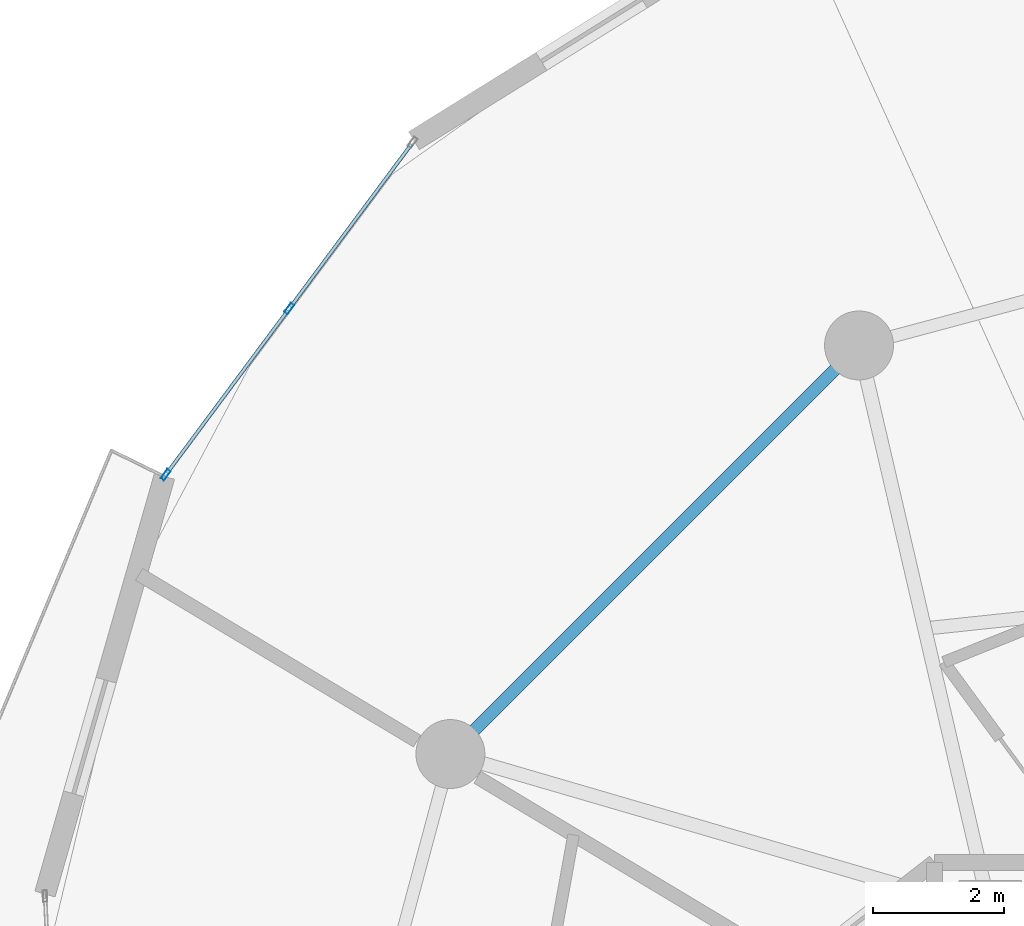
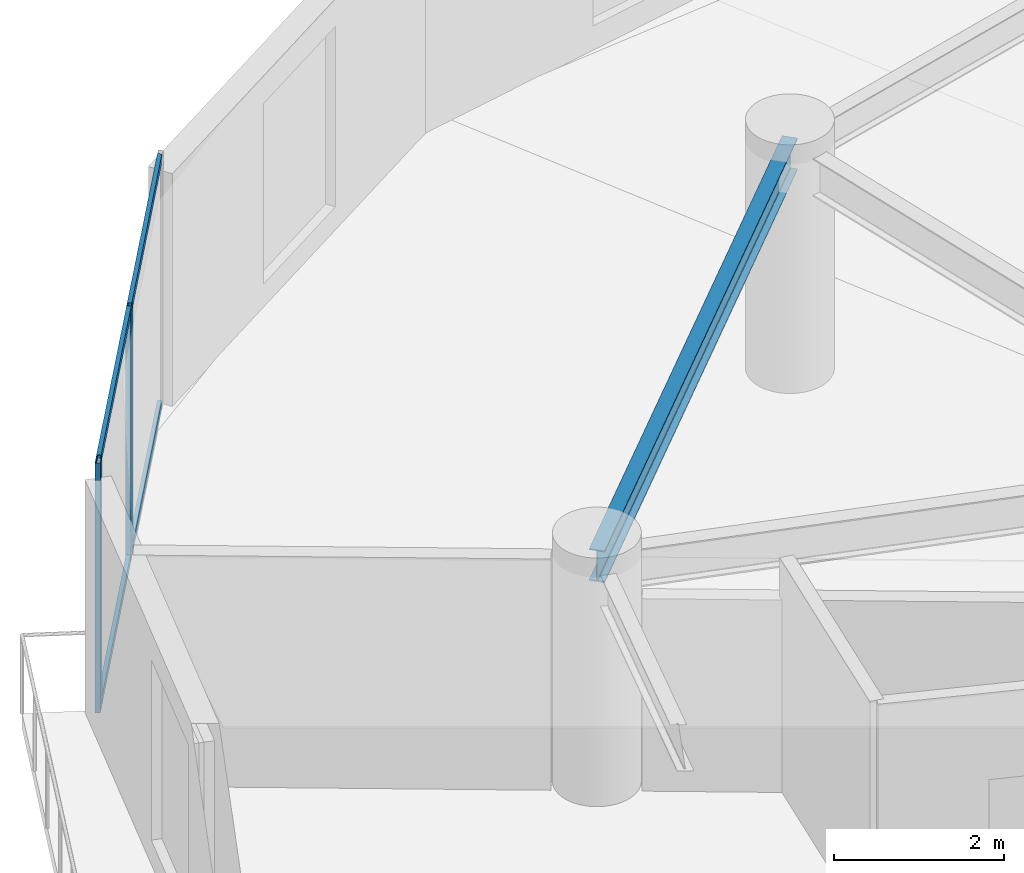
# One storey, part 12 of 22: 6 members, 1 beam, 1 element without a shape of its own.
"""IFC4 building model written with IfcOpenShell, lengths in metres."""

import ifcopenshell
import ifcopenshell.guid

model = None  # the IFC model being written
_history = None  # IfcOwnerHistory: only IFC2X3 demands one
_inside = {}  # id of a spatial element -> (the spatial element, [elements in it])
_under = {}  # id of a project, library or spatial element -> (it, [spatial elements below it])
_declared = {}  # id of a project -> (the project, [libraries it declares])
_typed = {}  # id of a type object -> (the type object, [elements of that type])
_made_of = {}  # id of a material, layer set ... -> (it, [elements and type objects made of it])


def new_model(schema):
    """Start an empty IFC model of exactly this schema.

    Asked for "IFC4X3", IfcOpenShell would pick the latest addendum, in which some entities
    have other attributes; the version numbers below select the first issue.
    IFC2X3 requires an IfcOwnerHistory on every rooted entity: one is made here for all.
    """
    global model, _history
    if schema == "IFC4X3":
        model = ifcopenshell.file(schema_version=(4, 3, 0, 0))
    else:
        model = ifcopenshell.file(schema=schema)
    _inside.clear()
    _under.clear()
    _declared.clear()
    _typed.clear()
    _made_of.clear()
    _history = None
    if model.schema == "IFC2X3":
        org = make("IfcOrganization", Name="unknown")
        user = make(
            "IfcPersonAndOrganization",
            ThePerson=make("IfcPerson", FamilyName="unknown"),
            TheOrganization=org,
        )
        app = make(
            "IfcApplication",
            ApplicationDeveloper=org,
            Version="unknown",
            ApplicationFullName="unknown",
            ApplicationIdentifier="unknown",
        )
        _history = make(
            "IfcOwnerHistory",
            OwningUser=user,
            OwningApplication=app,
            ChangeAction="ADDED",
            CreationDate=0,
        )
    return model


def make(cls, **values):
    """One entity of the class cls with the attributes given. An attribute that is None is left unset."""
    return model.create_entity(
        cls, **{name: value for name, value in values.items() if value is not None}
    )


def rooted(cls, **values):
    """An entity with a GlobalId (a new one), such as an element, a storey or a relation."""
    return make(cls, GlobalId=ifcopenshell.guid.new(), OwnerHistory=_history, **values)


def si_unit(unit_type, name, prefix=None):
    """IfcSIUnit, for example si_unit("LENGTHUNIT", "METRE", prefix="MILLI")."""
    return make("IfcSIUnit", UnitType=unit_type, Prefix=prefix, Name=name)


def assignment(units):
    """IfcUnitAssignment: the units of a project."""
    return None if units is None else make("IfcUnitAssignment", Units=units)


def point(xyz):
    """IfcCartesianPoint."""
    return None if xyz is None else make("IfcCartesianPoint", Coordinates=xyz)


def direction(xyz):
    """IfcDirection."""
    return None if xyz is None else make("IfcDirection", DirectionRatios=xyz)


def frame(location, z_axis=None, x_axis=None):
    """IfcAxis2Placement3D, a coordinate frame: its origin and axes. An axis left out is left unset."""
    return make(
        "IfcAxis2Placement3D",
        Location=point(location),
        Axis=direction(z_axis),
        RefDirection=direction(x_axis),
    )


def frame_2d(location, x_axis=None):
    """IfcAxis2Placement2D, a coordinate frame in the plane: its origin and x axis."""
    return make(
        "IfcAxis2Placement2D", Location=point(location), RefDirection=direction(x_axis)
    )


def origin():
    """The frame at (0, 0, 0) with its axes left unset."""
    return frame((0.0, 0.0, 0.0))


def origin_2d():
    """The frame at (0, 0) in the plane with its x axis left unset."""
    return frame_2d((0.0, 0.0))


def place(relative_to, where):
    """IfcLocalPlacement: puts the frame where relative to a parent placement (None: the world)."""
    return make(
        "IfcLocalPlacement", PlacementRelTo=relative_to, RelativePlacement=where
    )


def context(
    kind, dimensions, precision=None, world=None, true_north=None, identifier=None
):
    """IfcGeometricRepresentationContext, for example the 3D "Model" context."""
    return make(
        "IfcGeometricRepresentationContext",
        ContextIdentifier=identifier,
        ContextType=kind,
        CoordinateSpaceDimension=dimensions,
        Precision=precision,
        WorldCoordinateSystem=world,
        TrueNorth=true_north,
    )


def subcontext(parent, identifier, kind, view, scale=None):
    """IfcGeometricRepresentationSubContext, for example "Body" below "Model"."""
    return make(
        "IfcGeometricRepresentationSubContext",
        ContextIdentifier=identifier,
        ContextType=kind,
        ParentContext=parent,
        TargetScale=scale,
        TargetView=view,
    )


def project(units=None, contexts=None):
    """IfcProject with its units and contexts."""
    return rooted(
        "IfcProject",
        Name="project",
        RepresentationContexts=contexts,
        UnitsInContext=assignment(units),
    )


def spatial(cls, under=None, at=None, **own):
    """A site, building, storey or space (cls), placed at a placement, below another one or the project."""
    s = rooted(cls, ObjectPlacement=at, **own)
    if under is not None:
        _under.setdefault(under.id(), (under, []))[1].append(s)
    return s


def profile(cls, at=None, kind="AREA", **sizes):
    """A parametric profile (cls). Its sizes go by their IFC names, for example OverallWidth=200.0."""
    return make(cls, ProfileType=kind, Position=at, **sizes)


def hollow_rectangle(**sizes):
    """IfcRectangleHollowProfileDef."""
    return profile("IfcRectangleHollowProfileDef", **sizes)


def i_section(**sizes):
    """IfcIShapeProfileDef."""
    return profile("IfcIShapeProfileDef", **sizes)


def extrude(swept, where, along, depth):
    """IfcExtrudedAreaSolid: the profile swept, set in the frame where, extruded along a direction by depth."""
    return make(
        "IfcExtrudedAreaSolid",
        SweptArea=swept,
        Position=where,
        ExtrudedDirection=direction(along),
        Depth=depth,
    )


def shape(context_of_items, identifier, shape_type, items):
    """IfcShapeRepresentation: the items that make up one representation, for example the "Body"."""
    return make(
        "IfcShapeRepresentation",
        ContextOfItems=context_of_items,
        RepresentationIdentifier=identifier,
        RepresentationType=shape_type,
        Items=items,
    )


def source(mapping_origin, context_of_items, identifier, shape_type, items):
    """IfcRepresentationMap: a shape defined once, which mapped items show again and again."""
    return make(
        "IfcRepresentationMap",
        MappingOrigin=mapping_origin,
        MappedRepresentation=shape(context_of_items, identifier, shape_type, items),
    )


def transform(
    local_origin,
    x_axis=None,
    y_axis=None,
    z_axis=None,
    scale=None,
    scale2=None,
    scale3=None,
    uniform=True,
):
    """IfcCartesianTransformationOperator3D, or its non-uniform kind. x_axis, y_axis, z_axis: its Axis1, 2, 3."""
    if uniform:
        return make(
            "IfcCartesianTransformationOperator3D",
            Axis1=direction(x_axis),
            Axis2=direction(y_axis),
            LocalOrigin=point(local_origin),
            Scale=scale,
            Axis3=direction(z_axis),
        )
    return make(
        "IfcCartesianTransformationOperator3DnonUniform",
        Axis1=direction(x_axis),
        Axis2=direction(y_axis),
        LocalOrigin=point(local_origin),
        Scale=scale,
        Axis3=direction(z_axis),
        Scale2=scale2,
        Scale3=scale3,
    )


def mapped(mapping_source, mapping_target):
    """IfcMappedItem: shows the shape of a source again, moved by a transform."""
    return make(
        "IfcMappedItem", MappingSource=mapping_source, MappingTarget=mapping_target
    )


def material(Name=None, Category=None):
    """IfcMaterial."""
    return make("IfcMaterial", Name=Name, Category=Category)


def layer(
    of_material, thickness, ventilated=None, Name=None, Category=None, Priority=None
):
    """IfcMaterialLayer: one layer of a wall or slab, of a material (None: an air gap)."""
    return make(
        "IfcMaterialLayer",
        Material=of_material,
        LayerThickness=thickness,
        IsVentilated=ventilated,
        Name=Name,
        Category=Category,
        Priority=Priority,
    )


def layer_set(layers, Name=None):
    """IfcMaterialLayerSet."""
    return make("IfcMaterialLayerSet", MaterialLayers=layers, LayerSetName=Name)


def material_profile(
    of_material, cross_section, Name=None, Category=None, Priority=None
):
    """IfcMaterialProfile: a cross section and its material."""
    return make(
        "IfcMaterialProfile",
        Name=Name,
        Material=of_material,
        Profile=cross_section,
        Priority=Priority,
        Category=Category,
    )


def profile_set(profiles, Name=None, composite=None):
    """IfcMaterialProfileSet."""
    return make(
        "IfcMaterialProfileSet",
        Name=Name,
        MaterialProfiles=profiles,
        CompositeProfile=composite,
    )


def made_of(thing, what):
    """Note that an element or type object is made of a material, layer set ...; save() writes the relation."""
    if what is not None:
        _made_of.setdefault(what.id(), (what, []))[1].append(thing)
    return thing


def type_object(cls, material=None, **own):
    """A type object (cls), such as IfcWallType, which elements share."""
    return made_of(rooted(cls, **own), material)


def element(
    cls,
    number,
    at=None,
    inside=None,
    cuts=None,
    type_object=None,
    material=None,
    context=None,
    identifier="Body",
    shape_type=None,
    held_by="IfcProductDefinitionShape",
    body=None,
    shapes=None,
    **own,
):
    """One element of the class cls, such as IfcWall. Its Tag is "e" and its number.

    at: its placement. inside: the storey or other place that contains it. cuts: it is an
    opening in that element (IfcRelVoidsElement). A single representation is given by context,
    identifier, shape_type and body (its items); several are given by shapes. held_by: the class
    of the entity that holds the representations. save() writes the other relations.
    """
    e = rooted(cls, Tag="e%d" % number, ObjectPlacement=at, **own)
    if body is not None:
        shapes = [shape(context, identifier, shape_type, body)]
    if shapes is not None:
        e.Representation = make(held_by, Representations=shapes)
    if inside is not None:
        _inside.setdefault(inside.id(), (inside, []))[1].append(e)
    if cuts is not None:
        rooted(
            "IfcRelVoidsElement", RelatingBuildingElement=cuts, RelatedOpeningElement=e
        )
    if type_object is not None:
        _typed.setdefault(type_object.id(), (type_object, []))[1].append(e)
    return made_of(e, material)


def aggregate(whole, parts):
    """IfcRelAggregates: a whole, such as a stair, and the parts it consists of."""
    return rooted("IfcRelAggregates", RelatingObject=whole, RelatedObjects=parts)


def save(model, path):
    """Write the relations noted so far, then the file.

    IfcRelAggregates (storeys below a building ...), IfcRelContainedInSpatialStructure (elements
    in a storey), IfcRelDefinesByType, IfcRelAssociatesMaterial and IfcRelDeclares: one each for
    every whole, place, type object, material and project.
    """
    for whole, parts in _under.values():
        aggregate(whole, parts)
    for where, things in _inside.values():
        rooted(
            "IfcRelContainedInSpatialStructure",
            RelatedElements=things,
            RelatingStructure=where,
        )
    for kind, things in _typed.values():
        rooted("IfcRelDefinesByType", RelatedObjects=things, RelatingType=kind)
    for what, things in _made_of.values():
        rooted("IfcRelAssociatesMaterial", RelatedObjects=things, RelatingMaterial=what)
    for by, libraries in _declared.values():
        rooted("IfcRelDeclares", RelatingContext=by, RelatedDefinitions=libraries)
    model.write(path)


model = new_model("IFC4")

# Units and contexts
model_context = context("Model", 3, precision=1e-05, world=origin(), true_north=direction((0.0, 1.0)))
body_context = subcontext(model_context, "Body", "Model", "MODEL_VIEW")
ifc_project = project(units=[si_unit("LENGTHUNIT", "METRE"), si_unit("AREAUNIT", "SQUARE_METRE"), si_unit("VOLUMEUNIT", "CUBIC_METRE"), si_unit("PLANEANGLEUNIT", "RADIAN"), si_unit("MASSUNIT", "GRAM", prefix="KILO")], contexts=[model_context])

# Site, building, storey
site_placement = place(None, origin())
site = spatial("IfcSite", under=ifc_project, at=site_placement, CompositionType="ELEMENT")
building_placement = place(site_placement, origin())
building = spatial("IfcBuilding", under=site, at=building_placement, Name="Solvirekh Grand Hotel", CompositionType="ELEMENT")
storey_placement = place(building_placement, frame((0.0, 0.0, 153.0)))
storey = spatial("IfcBuildingStorey", under=building, at=storey_placement, Name="L39", CompositionType="ELEMENT", Elevation=153.0)

# Beam
ifc_material_1 = material(Name="Steel S355", Category="steel")
ifc_material_profile_1 = material_profile(ifc_material_1, i_section(OverallWidth=0.18994140625, OverallDepth=0.45703125, WebThickness=0.009033203125, FlangeThickness=0.013916015625, FilletRadius=0.012939453125, at=origin_2d()), Name="W460X74")
ifc_profile_set_1 = profile_set([ifc_material_profile_1], Name="Steel S355")
beam_type = type_object("IfcBeamType", Name="Spandrel_Ring_W460", PredefinedType="SPANDREL", material=ifc_profile_set_1)
beam_placement = place(storey_placement, frame((-8.5, 14.721923828125, 3.12109375), z_axis=(-0.707106781187, -0.707106781187, 0.0), x_axis=(0.707106781187, -0.707106781187, 0.0)))
element("IfcBeam", 1, at=beam_placement, inside=storey, type_object=beam_type, Name="L39 perimeter spandrel beam 5", PredefinedType="SPANDREL", context=body_context, shape_type="SweptSolid", body=[
    extrude(i_section(OverallWidth=0.18994140625, OverallDepth=0.45703125, WebThickness=0.009033203125, FlangeThickness=0.013916015625, FilletRadius=0.012939453125, at=origin_2d()), origin(), (0.0, 0.0, 1.0), 8.799072265625),
])

# Curtain wall, members
ifc_material_2 = material(Name="Anodized Bronze Aluminium 6063-T6", Category="aluminium")
ifc_layer = layer(ifc_material_2, 0.175048828125)
ifc_layer_set = layer_set([ifc_layer], Name="Anodized Bronze Aluminium 6063-T6")
curtain_wall_type = type_object("IfcCurtainWallType", Name="CW_Sys3_MidZoneFlushBronzeCW", PredefinedType="NOTDEFINED", material=ifc_layer_set)
curtain_wall_placement = place(storey_placement, origin())
curtain_wall = element("IfcCurtainWall", 2, at=curtain_wall_placement, inside=storey, type_object=curtain_wall_type, Name="L39 unitised bronze-glass curtain wall CW-L39-C11", PredefinedType="NOTDEFINED")
ifc_material_profile_2 = material_profile(ifc_material_2, hollow_rectangle(XDim=0.054931640625, YDim=0.1201171875, WallThickness=0.00390625, at=origin_2d()), Name="ALU RHS 120X55X4")
ifc_profile_set_2 = profile_set([ifc_material_profile_2], Name="Anodized Bronze Aluminium 6063-T6")
member_type_1 = type_object("IfcMemberType", Name="CWTransom_Sys3", PredefinedType="USERDEFINED", material=ifc_profile_set_2)
shared_shape_1 = source(origin(), body_context, "Body", "SweptSolid", [
    extrude(hollow_rectangle(XDim=0.054931640625, YDim=0.1201171875, WallThickness=0.00390625, at=origin_2d()), origin(), (0.0, 0.0, 1.0), 3.087158203125),
])
member_1_placement = place(storey_placement, frame((-15.315673828125, 17.786865234375, 0.027587890625), z_axis=(-0.596514721212, -0.802602135169, 0.0), x_axis=(0.802602135169, -0.596514721212, 0.0)))
member_1 = element("IfcMember", 3, at=member_1_placement, type_object=member_type_1, Name="U03 transom 1.1", ObjectType="TRANSOM", PredefinedType="USERDEFINED", context=body_context, shape_type="MappedRepresentation", body=[
    mapped(shared_shape_1, transform((0.0, 0.0, 0.0), x_axis=(1.0, 0.0, 0.0), y_axis=(0.0, 1.0, 0.0), z_axis=(0.0, 0.0, 1.0), scale=1.0)),
])
member_2_placement = place(storey_placement, frame((-15.315673828125, 17.786865234375, 3.572509765625), z_axis=(-0.596514721212, -0.802602135169, 0.0), x_axis=(0.802602135169, -0.596514721212, 0.0)))
member_2 = element("IfcMember", 4, at=member_2_placement, type_object=member_type_1, Name="U03 transom 1.2", ObjectType="TRANSOM", PredefinedType="USERDEFINED", context=body_context, shape_type="MappedRepresentation", body=[
    mapped(shared_shape_1, transform((0.0, 0.0, 0.0), x_axis=(1.0, 0.0, 0.0), y_axis=(0.0, 1.0, 0.0), z_axis=(0.0, 0.0, 1.0), scale=1.0)),
])
member_3_placement = place(storey_placement, frame((-17.19580078125, 15.2568359375, 0.027587890625), z_axis=(-0.596463775409, -0.802639996901, 0.0), x_axis=(0.802639996901, -0.596463775409, 0.0)))
member_3 = element("IfcMember", 5, at=member_3_placement, type_object=member_type_1, Name="U03 transom 2.1", ObjectType="TRANSOM", PredefinedType="USERDEFINED", context=body_context, shape_type="MappedRepresentation", body=[
    mapped(shared_shape_1, transform((0.0, 0.0, 0.0), x_axis=(1.0, 0.0, 0.0), y_axis=(0.0, 1.0, 0.0), z_axis=(0.0, 0.0, 1.0), scale=1.0)),
])
member_4_placement = place(storey_placement, frame((-17.19580078125, 15.2568359375, 3.572509765625), z_axis=(-0.596463775409, -0.802639996901, 0.0), x_axis=(0.802639996901, -0.596463775409, 0.0)))
member_4 = element("IfcMember", 6, at=member_4_placement, type_object=member_type_1, Name="U03 transom 2.2", ObjectType="TRANSOM", PredefinedType="USERDEFINED", context=body_context, shape_type="MappedRepresentation", body=[
    mapped(shared_shape_1, transform((0.0, 0.0, 0.0), x_axis=(1.0, 0.0, 0.0), y_axis=(0.0, 1.0, 0.0), z_axis=(0.0, 0.0, 1.0), scale=1.0)),
])
ifc_material_profile_3 = material_profile(ifc_material_2, hollow_rectangle(XDim=0.06494140625, YDim=0.175048828125, WallThickness=0.0048828125, at=origin_2d()), Name="ALU RHS 175X65X5")
ifc_profile_set_3 = profile_set([ifc_material_profile_3], Name="Anodized Bronze Aluminium 6063-T6")
member_type_2 = type_object("IfcMemberType", Name="CWMullion_Sys3", PredefinedType="MULLION", material=ifc_profile_set_3)
shared_shape_2 = source(origin(), body_context, "Body", "SweptSolid", [
    extrude(hollow_rectangle(XDim=0.06494140625, YDim=0.175048828125, WallThickness=0.0048828125, at=origin_2d()), origin(), (0.0, 0.0, 1.0), 3.60009765625),
])
member_5_placement = place(storey_placement, frame((-17.176513671875, 15.282958984375, 0.0), z_axis=(0.0, 0.0, 1.0), x_axis=(0.802630020394, -0.596477200204, 0.0)))
member_5 = element("IfcMember", 7, at=member_5_placement, type_object=member_type_2, Name="U03 mullion 2", PredefinedType="MULLION", context=body_context, shape_type="MappedRepresentation", body=[
    mapped(shared_shape_2, transform((0.0, 0.0, 0.0), x_axis=(1.0, 0.0, 0.0), y_axis=(0.0, 1.0, 0.0), z_axis=(0.0, 0.0, 1.0), scale=1.0)),
])
member_6_placement = place(storey_placement, frame((-19.056640625, 12.753173828125, 0.0), z_axis=(0.0, 0.0, 1.0), x_axis=(0.802630020394, -0.596477200204, 0.0)))
member_6 = element("IfcMember", 8, at=member_6_placement, type_object=member_type_2, Name="U03 mullion 3", PredefinedType="MULLION", context=body_context, shape_type="MappedRepresentation", body=[
    mapped(shared_shape_2, transform((0.0, 0.0, 0.0), x_axis=(1.0, 0.0, 0.0), y_axis=(0.0, 1.0, 0.0), z_axis=(0.0, 0.0, 1.0), scale=1.0)),
])
aggregate(curtain_wall, [member_5, member_6, member_1, member_2, member_3, member_4])

save(model, "model.ifc")
